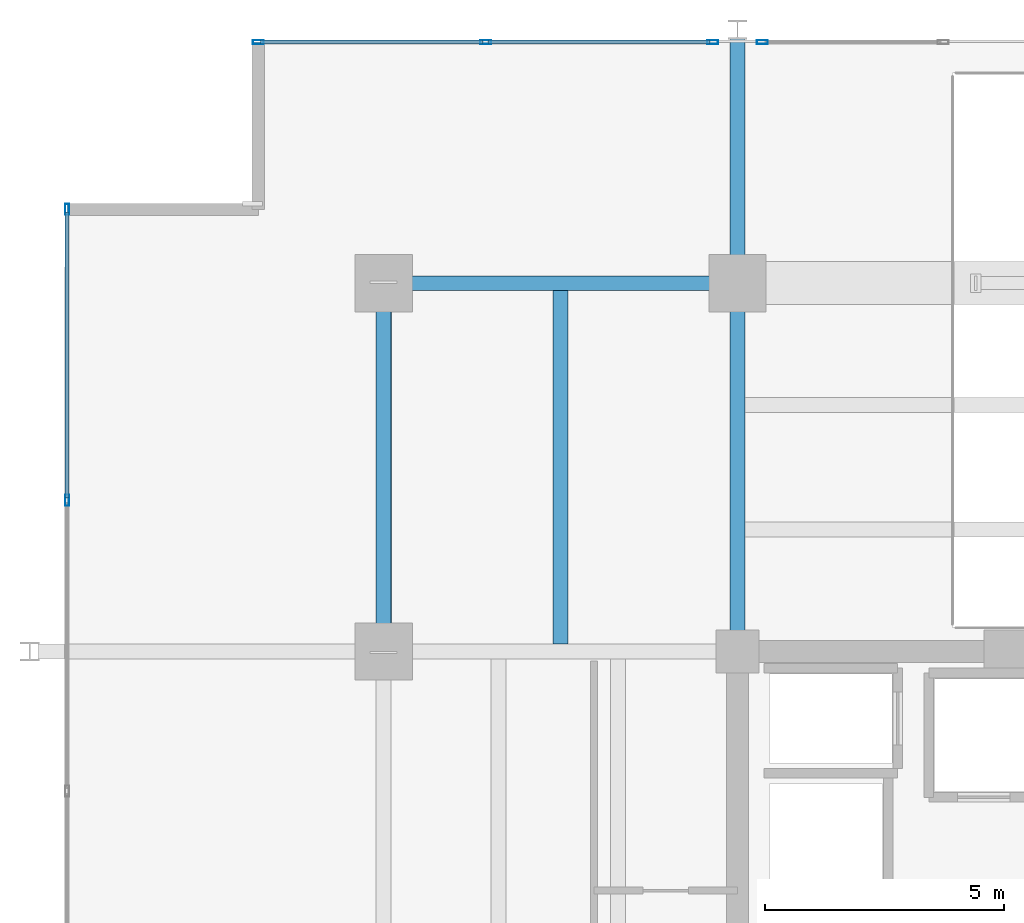
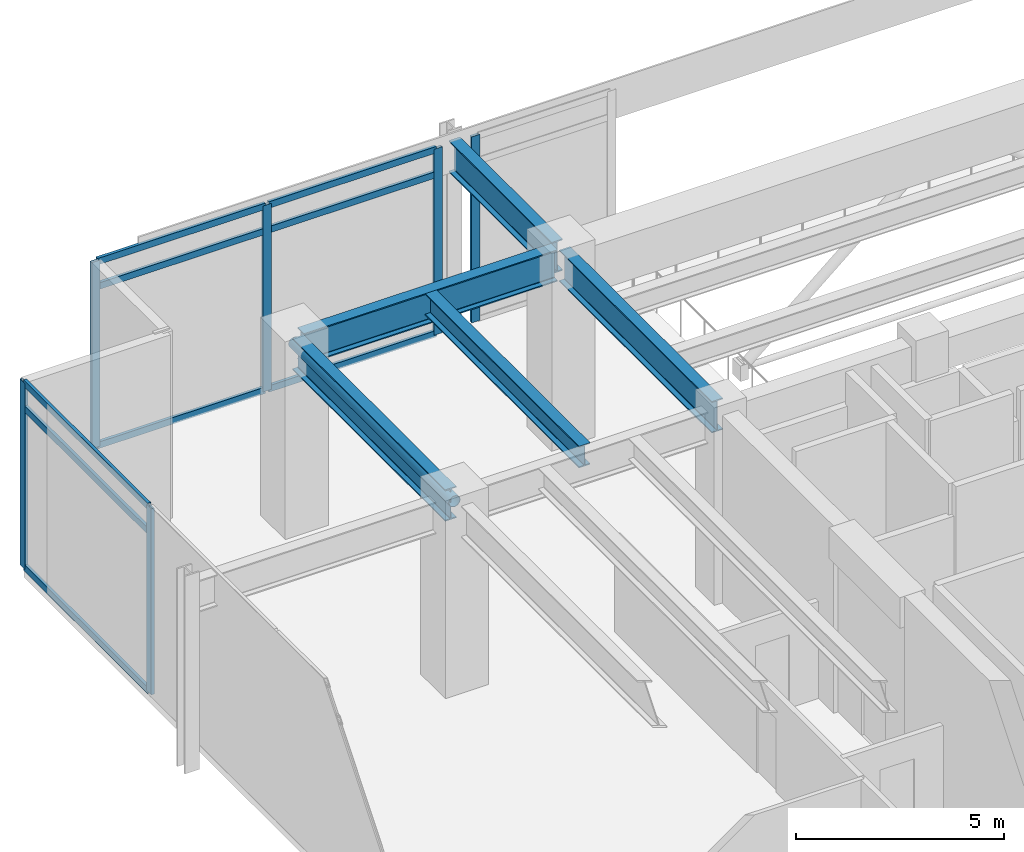
# One storey, part 13 of 25: 16 members, 5 beams, 3 elements without a shape of their own.
"""IFC4 building model written with IfcOpenShell, lengths in metres."""

from ifc_helpers import new_model, si_unit, direction, frame, origin, origin_2d, place, context, subcontext, project, spatial, hollow_rectangle, hollow_circle, i_section, extrude, material, material_profile, profile_set, type_object, element, aggregate, save


model = new_model("IFC4")

# Units and contexts
model_context = context("Model", 3, precision=1e-05, world=origin(), true_north=direction((0.0, 1.0)))
body_context = subcontext(model_context, "Body", "Model", "MODEL_VIEW")
ifc_project = project(units=[si_unit("LENGTHUNIT", "METRE"), si_unit("AREAUNIT", "SQUARE_METRE"), si_unit("VOLUMEUNIT", "CUBIC_METRE"), si_unit("PLANEANGLEUNIT", "RADIAN"), si_unit("MASSUNIT", "GRAM", prefix="KILO")], contexts=[model_context])

# Site, building, storey
site_placement = place(None, origin())
site = spatial("IfcSite", under=ifc_project, at=site_placement, CompositionType="ELEMENT")
building_placement = place(site_placement, origin())
building = spatial("IfcBuilding", under=site, at=building_placement, Name="Kovane Verandah Tower", CompositionType="ELEMENT")
storey_placement = place(building_placement, frame((0.0, 0.0, 295.199951171875)))
storey = spatial("IfcBuildingStorey", under=building, at=storey_placement, Name="L69", CompositionType="ELEMENT", Elevation=295.199951171875)

# Beams
ifc_material_1 = material(Name="Steel S460", Category="steel")
ifc_material_profile_1 = material_profile(ifc_material_1, i_section(OverallWidth=0.311279296875, OverallDepth=0.6357421875, WebThickness=0.018310546875, FlangeThickness=0.031494140625, FilletRadius=0.0166015625, at=origin_2d()), Name="UB610x305x238")
ifc_profile_set_1 = profile_set([ifc_material_profile_1], Name="Steel S460")
beam_type_1 = type_object("IfcBeamType", Name="BM-UB610x238", PredefinedType="BEAM", material=ifc_profile_set_1)
beam_1_placement = place(storey_placement, frame((25.300048828125, 36.65185546875, 5.18212890625), z_axis=(0.0, 1.0, 0.0), x_axis=(-1.0, 0.0, 0.0)))
element("IfcBeam", 1, at=beam_1_placement, inside=storey, type_object=beam_type_1, Name="L69 Secondary Composite Joist J-NW1", PredefinedType="BEAM", context=body_context, shape_type="SweptSolid", body=[
    extrude(i_section(OverallWidth=0.311279296875, OverallDepth=0.6357421875, WebThickness=0.018310546875, FlangeThickness=0.031494140625, FilletRadius=0.0166015625, at=origin_2d()), origin(), (0.0, 0.0, 1.0), 7.396240234375),
])
ifc_material_profile_2 = material_profile(ifc_material_1, i_section(OverallWidth=0.3076171875, OverallDepth=0.926513671875, WebThickness=0.01953125, FlangeThickness=0.031982421875, FilletRadius=0.01904296875, at=origin_2d()), Name="UB914x305x289")
ifc_profile_set_2 = profile_set([ifc_material_profile_2], Name="Steel S460")
beam_type_2 = type_object("IfcBeamType", Name="BM-UB914x289", PredefinedType="BEAM", material=ifc_profile_set_2)
beam_2_placement = place(storey_placement, frame((21.780029296875, 44.199951171875, 5.036865234375), z_axis=(1.0, 0.0, 0.0), x_axis=(0.0, 1.0, 0.0)))
element("IfcBeam", 2, at=beam_2_placement, inside=storey, type_object=beam_type_2, Name="L69 Primary Tower Girder G-RN1", PredefinedType="BEAM", context=body_context, shape_type="SweptSolid", body=[
    extrude(i_section(OverallWidth=0.3076171875, OverallDepth=0.926513671875, WebThickness=0.01953125, FlangeThickness=0.031982421875, FilletRadius=0.01904296875, at=origin_2d()), origin(), (0.0, 0.0, 1.0), 7.0400390625),
])
for number, where, z_axis, x_axis, name in (
    (3, (21.60009765625, 36.679931640625, 5.036865234375), (0.0, 1.0, 0.0), (-1.0, 0.0, 0.0), "L69 Primary Tower Girder G-RW3"),
    (4, (29.0, 36.679931640625, 5.036865234375), (0.0, 1.0, 0.0), (-1.0, 0.0, 0.0), "L69 Primary Tower Girder G-N1"),
):
    element("IfcBeam", number, at=place(storey_placement, frame(where, z_axis=z_axis, x_axis=x_axis)), inside=storey, type_object=beam_type_2, Name=name, PredefinedType="BEAM", context=body_context, shape_type="SweptSolid", body=[
        extrude(i_section(OverallWidth=0.3076171875, OverallDepth=0.926513671875, WebThickness=0.01953125, FlangeThickness=0.031982421875, FilletRadius=0.01904296875, at=origin_2d()), origin(), (0.0, 0.0, 1.0), 7.340087890625),
    ])
beam_3_placement = place(storey_placement, frame((29.0, 44.3798828125, 5.036865234375), z_axis=(0.0, 1.0, 0.0), x_axis=(-1.0, 0.0, 0.0)))
element("IfcBeam", 5, at=beam_3_placement, inside=storey, type_object=beam_type_2, Name="L69 Primary Tower Girder G-VN1", PredefinedType="BEAM", context=body_context, shape_type="SweptSolid", body=[
    extrude(i_section(OverallWidth=0.3076171875, OverallDepth=0.926513671875, WebThickness=0.01953125, FlangeThickness=0.031982421875, FilletRadius=0.01904296875, at=origin_2d()), origin(), (0.0, 0.0, 1.0), 4.940185546875),
])

# Curtain wall, member
ifc_material_2 = material(Name="Champagne Anodised Aluminium Frame with Low-E Clear Laminated Glass", Category="aluminium")
curtain_wall_type = type_object("IfcCurtainWallType", Name="CW-SYS-05-HIGH", PredefinedType="NOTDEFINED", material=ifc_material_2)
curtain_wall_1_placement = place(storey_placement, origin())
curtain_wall_1 = element("IfcCurtainWall", 6, at=curtain_wall_1_placement, inside=storey, type_object=curtain_wall_type, Name="L69 North-West Wind-Portal Curtain Wall 1", PredefinedType="NOTDEFINED")
ifc_material_3 = material(Name="Champagne Anodised Aluminium 6063-T6", Category="aluminium")
ifc_material_profile_3 = material_profile(ifc_material_3, hollow_rectangle(XDim=0.0849609375, YDim=0.22998046875, WallThickness=0.00390625, at=origin_2d()), Name="AL85x230x4")
ifc_profile_set_3 = profile_set([ifc_material_profile_3], Name="Champagne Anodised Aluminium 6063-T6")
member_type_1 = type_object("IfcMemberType", Name="CW-MUL-85x230", PredefinedType="MULLION", material=ifc_profile_set_3)
member_1_placement = place(storey_placement, frame((29.52001953125, 49.24169921875, 0.02001953125), z_axis=(0.0, 0.0, 1.0), x_axis=(0.0, 1.0, 0.0)))
member_1 = element("IfcMember", 7, at=member_1_placement, type_object=member_type_1, Name="L69 North-West Wind-Portal Curtain Wall 1 Mullion 2", PredefinedType="MULLION", context=body_context, shape_type="SweptSolid", body=[
    extrude(hollow_rectangle(XDim=0.0849609375, YDim=0.22998046875, WallThickness=0.00390625, at=origin_2d()), origin(), (0.0, 0.0, 1.0), 5.4599609375),
])
aggregate(curtain_wall_1, [member_1])

# Curtain wall, members
curtain_wall_2_placement = place(storey_placement, origin())
curtain_wall_2 = element("IfcCurtainWall", 8, at=curtain_wall_2_placement, inside=storey, type_object=curtain_wall_type, Name="L69 North-West Wind-Portal Curtain Wall 2", PredefinedType="NOTDEFINED")
member_2_placement = place(storey_placement, frame((28.47998046875, 49.24169921875, 0.02001953125), z_axis=(0.0, 0.0, 1.0), x_axis=(0.0, 1.0, 0.0)))
member_2 = element("IfcMember", 9, at=member_2_placement, type_object=member_type_1, Name="L69 North-West Wind-Portal Curtain Wall 2 Mullion 1", PredefinedType="MULLION", context=body_context, shape_type="SweptSolid", body=[
    extrude(hollow_rectangle(XDim=0.0849609375, YDim=0.22998046875, WallThickness=0.00390625, at=origin_2d()), origin(), (0.0, 0.0, 1.0), 5.4599609375),
])
member_3_placement = place(storey_placement, frame((23.731201171875, 49.24169921875, 0.02001953125), z_axis=(0.0, 0.0, 1.0), x_axis=(0.0, 1.0, 0.0)))
member_3 = element("IfcMember", 10, at=member_3_placement, type_object=member_type_1, Name="L69 North-West Wind-Portal Curtain Wall 2 Mullion 2", PredefinedType="MULLION", context=body_context, shape_type="SweptSolid", body=[
    extrude(hollow_rectangle(XDim=0.0849609375, YDim=0.22998046875, WallThickness=0.00390625, at=origin_2d()), origin(), (0.0, 0.0, 1.0), 5.4599609375),
])
member_4_placement = place(storey_placement, frame((18.982177734375, 49.24169921875, 0.02001953125), z_axis=(0.0, 0.0, 1.0), x_axis=(0.0, 1.0, 0.0)))
member_4 = element("IfcMember", 11, at=member_4_placement, type_object=member_type_1, Name="L69 North-West Wind-Portal Curtain Wall 2 Mullion 3", PredefinedType="MULLION", context=body_context, shape_type="SweptSolid", body=[
    extrude(hollow_rectangle(XDim=0.0849609375, YDim=0.22998046875, WallThickness=0.00390625, at=origin_2d()), origin(), (0.0, 0.0, 1.0), 5.4599609375),
])

curtain_wall_3_placement = place(storey_placement, origin())
curtain_wall_3 = element("IfcCurtainWall", 12, at=curtain_wall_3_placement, inside=storey, type_object=curtain_wall_type, Name="L69 W Unitised Curtain Wall", PredefinedType="NOTDEFINED")
member_5_placement = place(storey_placement, frame((14.982177734375, 45.74169921875, 0.02001953125), z_axis=(0.0, 0.0, 1.0), x_axis=(-1.0, 0.0, 0.0)))
member_5 = element("IfcMember", 13, at=member_5_placement, type_object=member_type_1, Name="L69 W Unitised Curtain Wall Mullion 1", PredefinedType="MULLION", context=body_context, shape_type="SweptSolid", body=[
    extrude(hollow_rectangle(XDim=0.0849609375, YDim=0.22998046875, WallThickness=0.00390625, at=origin_2d()), origin(), (0.0, 0.0, 1.0), 5.4599609375),
])
member_6_placement = place(storey_placement, frame((14.982177734375, 39.6611328125, 0.02001953125), z_axis=(0.0, 0.0, 1.0), x_axis=(-1.0, 0.0, 0.0)))
member_6 = element("IfcMember", 14, at=member_6_placement, type_object=member_type_1, Name="L69 W Unitised Curtain Wall Mullion 2", PredefinedType="MULLION", context=body_context, shape_type="SweptSolid", body=[
    extrude(hollow_rectangle(XDim=0.0849609375, YDim=0.22998046875, WallThickness=0.00390625, at=origin_2d()), origin(), (0.0, 0.0, 1.0), 5.4599609375),
])

# Member
ifc_material_profile_4 = material_profile(ifc_material_3, hollow_rectangle(XDim=0.0849609375, YDim=0.18994140625, WallThickness=0.00390625, at=origin_2d()), Name="AL85x190x4")
ifc_profile_set_4 = profile_set([ifc_material_profile_4], Name="Champagne Anodised Aluminium 6063-T6")
member_type_2 = type_object("IfcMemberType", Name="CW-TRN-85x190", PredefinedType="USERDEFINED", material=ifc_profile_set_4)
member_7_placement = place(storey_placement, frame((28.429931640625, 49.24169921875, 0.050048828125), z_axis=(-1.0, 0.0, 0.0), x_axis=(0.0, -1.0, 0.0)))
member_7 = element("IfcMember", 15, at=member_7_placement, type_object=member_type_2, Name="L69 North-West Wind-Portal Curtain Wall 2 Transom TB Bay 1", ObjectType="TRANSOM", PredefinedType="USERDEFINED", context=body_context, shape_type="SweptSolid", body=[
    extrude(hollow_rectangle(XDim=0.0849609375, YDim=0.18994140625, WallThickness=0.00390625, at=origin_2d()), origin(), (0.0, 0.0, 1.0), 4.64892578125),
])

member_8_placement = place(storey_placement, frame((28.429931640625, 49.24169921875, 4.719970703125), z_axis=(-1.0, 0.0, 0.0), x_axis=(0.0, -1.0, 0.0)))
member_8 = element("IfcMember", 16, at=member_8_placement, type_object=member_type_2, Name="L69 North-West Wind-Portal Curtain Wall 2 Transom TM Bay 1", ObjectType="TRANSOM", PredefinedType="USERDEFINED", context=body_context, shape_type="SweptSolid", body=[
    extrude(hollow_rectangle(XDim=0.0849609375, YDim=0.18994140625, WallThickness=0.00390625, at=origin_2d()), origin(), (0.0, 0.0, 1.0), 4.64892578125),
])

member_9_placement = place(storey_placement, frame((28.429931640625, 49.24169921875, 5.449951171875), z_axis=(-1.0, 0.0, 0.0), x_axis=(0.0, -1.0, 0.0)))
member_9 = element("IfcMember", 17, at=member_9_placement, type_object=member_type_2, Name="L69 North-West Wind-Portal Curtain Wall 2 Transom TT Bay 1", ObjectType="TRANSOM", PredefinedType="USERDEFINED", context=body_context, shape_type="SweptSolid", body=[
    extrude(hollow_rectangle(XDim=0.0849609375, YDim=0.18994140625, WallThickness=0.00390625, at=origin_2d()), origin(), (0.0, 0.0, 1.0), 4.64892578125),
])

member_10_placement = place(storey_placement, frame((23.68115234375, 49.24169921875, 0.050048828125), z_axis=(-1.0, 0.0, 0.0), x_axis=(0.0, -1.0, 0.0)))
member_10 = element("IfcMember", 18, at=member_10_placement, type_object=member_type_2, Name="L69 North-West Wind-Portal Curtain Wall 2 Transom TB Bay 2", ObjectType="TRANSOM", PredefinedType="USERDEFINED", context=body_context, shape_type="SweptSolid", body=[
    extrude(hollow_rectangle(XDim=0.0849609375, YDim=0.18994140625, WallThickness=0.00390625, at=origin_2d()), origin(), (0.0, 0.0, 1.0), 4.649169921875),
])

member_11_placement = place(storey_placement, frame((23.68115234375, 49.24169921875, 4.719970703125), z_axis=(-1.0, 0.0, 0.0), x_axis=(0.0, -1.0, 0.0)))
member_11 = element("IfcMember", 19, at=member_11_placement, type_object=member_type_2, Name="L69 North-West Wind-Portal Curtain Wall 2 Transom TM Bay 2", ObjectType="TRANSOM", PredefinedType="USERDEFINED", context=body_context, shape_type="SweptSolid", body=[
    extrude(hollow_rectangle(XDim=0.0849609375, YDim=0.18994140625, WallThickness=0.00390625, at=origin_2d()), origin(), (0.0, 0.0, 1.0), 4.649169921875),
])

member_12_placement = place(storey_placement, frame((23.68115234375, 49.24169921875, 5.449951171875), z_axis=(-1.0, 0.0, 0.0), x_axis=(0.0, -1.0, 0.0)))
member_12 = element("IfcMember", 20, at=member_12_placement, type_object=member_type_2, Name="L69 North-West Wind-Portal Curtain Wall 2 Transom TT Bay 2", ObjectType="TRANSOM", PredefinedType="USERDEFINED", context=body_context, shape_type="SweptSolid", body=[
    extrude(hollow_rectangle(XDim=0.0849609375, YDim=0.18994140625, WallThickness=0.00390625, at=origin_2d()), origin(), (0.0, 0.0, 1.0), 4.649169921875),
])

aggregate(curtain_wall_2, [member_2, member_3, member_4, member_7, member_8, member_9, member_10, member_11, member_12])

member_13_placement = place(storey_placement, frame((14.982177734375, 45.691650390625, 0.050048828125), z_axis=(0.0, -1.0, 0.0), x_axis=(1.0, 0.0, 0.0)))
member_13 = element("IfcMember", 21, at=member_13_placement, type_object=member_type_2, Name="L69 W Unitised Curtain Wall Transom TB Bay 1", ObjectType="TRANSOM", PredefinedType="USERDEFINED", context=body_context, shape_type="SweptSolid", body=[
    extrude(hollow_rectangle(XDim=0.0849609375, YDim=0.18994140625, WallThickness=0.00390625, at=origin_2d()), origin(), (0.0, 0.0, 1.0), 5.98046875),
])

member_14_placement = place(storey_placement, frame((14.982177734375, 45.691650390625, 4.719970703125), z_axis=(0.0, -1.0, 0.0), x_axis=(1.0, 0.0, 0.0)))
member_14 = element("IfcMember", 22, at=member_14_placement, type_object=member_type_2, Name="L69 W Unitised Curtain Wall Transom TM Bay 1", ObjectType="TRANSOM", PredefinedType="USERDEFINED", context=body_context, shape_type="SweptSolid", body=[
    extrude(hollow_rectangle(XDim=0.0849609375, YDim=0.18994140625, WallThickness=0.00390625, at=origin_2d()), origin(), (0.0, 0.0, 1.0), 5.98046875),
])

member_15_placement = place(storey_placement, frame((14.982177734375, 45.691650390625, 5.449951171875), z_axis=(0.0, -1.0, 0.0), x_axis=(1.0, 0.0, 0.0)))
member_15 = element("IfcMember", 23, at=member_15_placement, type_object=member_type_2, Name="L69 W Unitised Curtain Wall Transom TT Bay 1", ObjectType="TRANSOM", PredefinedType="USERDEFINED", context=body_context, shape_type="SweptSolid", body=[
    extrude(hollow_rectangle(XDim=0.0849609375, YDim=0.18994140625, WallThickness=0.00390625, at=origin_2d()), origin(), (0.0, 0.0, 1.0), 5.98046875),
])

aggregate(curtain_wall_3, [member_5, member_6, member_13, member_14, member_15])

ifc_material_profile_5 = material_profile(ifc_material_1, hollow_circle(Radius=0.161865234375, WallThickness=0.012451171875, at=origin_2d()), Name="CHS323.9x12.5")
ifc_profile_set_5 = profile_set([ifc_material_profile_5], Name="Steel S460")
member_type_3 = type_object("IfcMemberType", Name="MEM-STRUT-CHS324", PredefinedType="STRUT", material=ifc_profile_set_5)
member_16_placement = place(storey_placement, frame((21.60009765625, 36.5, 5.219970703125), z_axis=(0.0, 1.0, 0.0), x_axis=(-1.0, 0.0, 0.0)))
element("IfcMember", 24, at=member_16_placement, inside=storey, type_object=member_type_3, Name="L69 Belt-Truss Ring Chord BW2", PredefinedType="STRUT", context=body_context, shape_type="SweptSolid", body=[
    extrude(hollow_circle(Radius=0.161865234375, WallThickness=0.012451171875, at=origin_2d()), origin(), (0.0, 0.0, 1.0), 7.699951171875),
])

save(model, "model.ifc")
